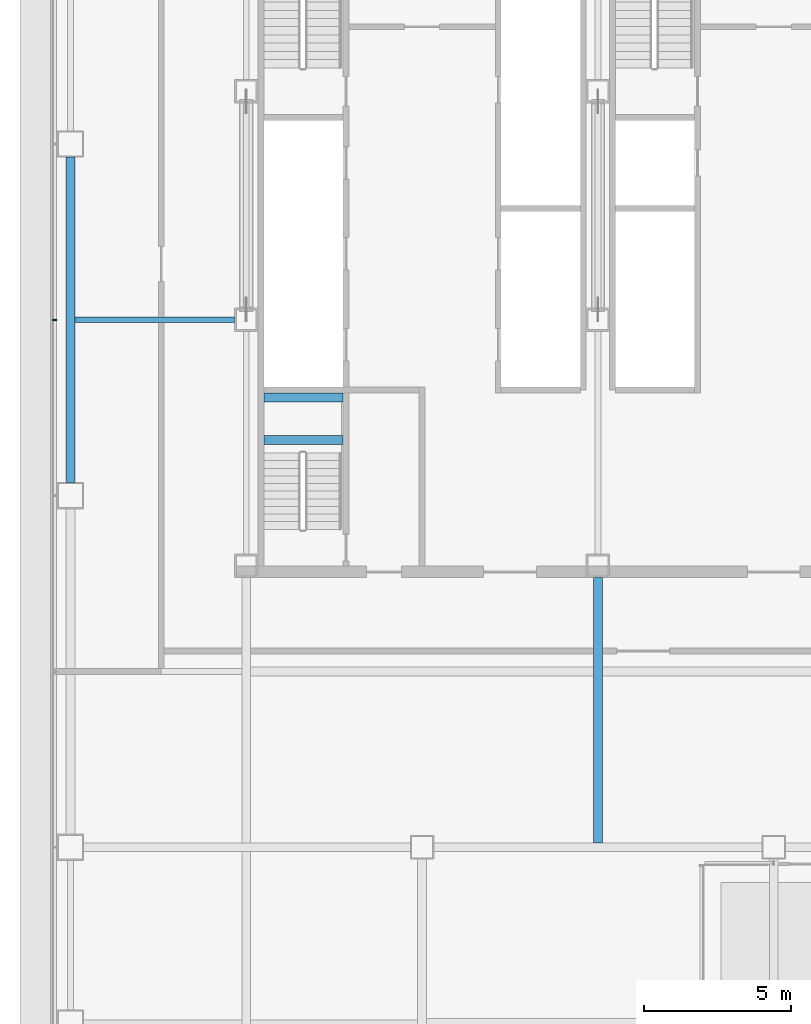
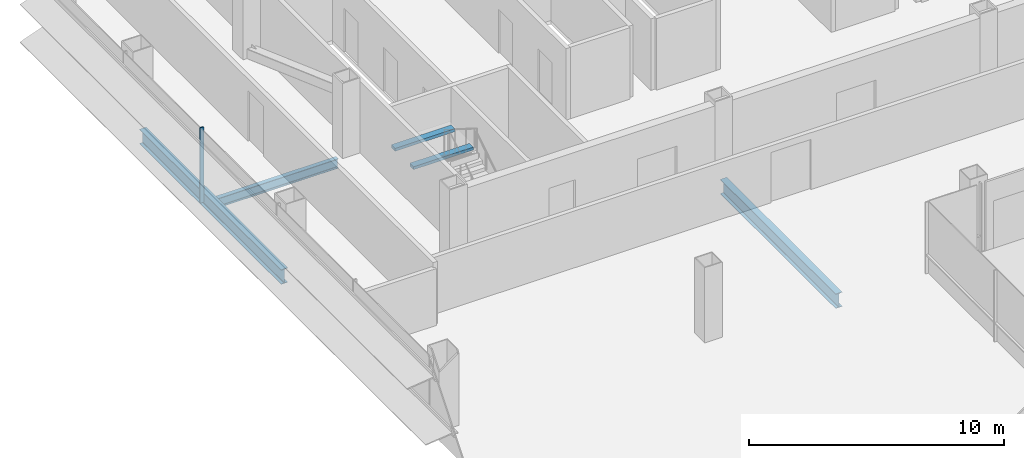
# One storey, part 6 of 27: 5 beams, 1 member, 1 element without a shape of its own.
"""IFC4 building model written with IfcOpenShell, lengths in metres."""

from ifc_helpers import new_model, si_unit, direction, frame, origin, origin_2d, place, context, subcontext, project, spatial, rectangle, i_section, extrude, material, material_profile, profile_set, type_object, element, aggregate, save


model = new_model("IFC4")

# Units and contexts
model_context = context("Model", 3, precision=1e-05, world=origin(), true_north=direction((0.0, 1.0)))
body_context = subcontext(model_context, "Body", "Model", "MODEL_VIEW")
ifc_project = project(units=[si_unit("LENGTHUNIT", "METRE"), si_unit("AREAUNIT", "SQUARE_METRE"), si_unit("VOLUMEUNIT", "CUBIC_METRE"), si_unit("PLANEANGLEUNIT", "RADIAN"), si_unit("MASSUNIT", "GRAM", prefix="KILO")], contexts=[model_context])

# Site, building, storey
site_placement = place(None, origin())
site = spatial("IfcSite", under=ifc_project, at=site_placement, CompositionType="ELEMENT")
building_placement = place(site_placement, origin())
building = spatial("IfcBuilding", under=site, at=building_placement, Name="Sorahane Residences", CompositionType="ELEMENT")
storey_placement = place(building_placement, frame((0.0, 0.0, 82.199951171875)))
storey = spatial("IfcBuildingStorey", under=building, at=storey_placement, Name="L17", CompositionType="ELEMENT", Elevation=82.199951171875)

# Curtain wall, member
ifc_material_1 = material(Name="Dark low-e glass and black anodised aluminium", Category="aluminium")
curtain_wall_type = type_object("IfcCurtainWallType", Name="Curtain wall CW-1 Typical unitised wall", PredefinedType="NOTDEFINED", material=ifc_material_1)
curtain_wall_placement = place(storey_placement, origin())
curtain_wall = element("IfcCurtainWall", 1, at=curtain_wall_placement, inside=storey, type_object=curtain_wall_type, Name="CW-1 curtain wall L17 W2", PredefinedType="NOTDEFINED")
ifc_material_2 = material(Name="Black anodised aluminium", Category="aluminium")
ifc_material_profile_1 = material_profile(ifc_material_2, rectangle(XDim=0.159912109375, YDim=0.050048828125, at=origin_2d()), Name="Curtain wall mullion CW-1 black anodised aluminium 50x160")
ifc_profile_set_1 = profile_set([ifc_material_profile_1], Name="Black anodised aluminium")
member_type = type_object("IfcMemberType", Name="Curtain wall mullion CW-1 black anodised aluminium 50x160", PredefinedType="MULLION", material=ifc_profile_set_1)
member_placement = place(storey_placement, frame((-0.5400390625, 30.0, -0.179931640625), z_axis=(0.0, 0.0, 1.0), x_axis=(-1.0, 0.0, 0.0)))
member = element("IfcMember", 2, at=member_placement, type_object=member_type, Name="CW-1 mullion L17 W2.3", PredefinedType="MULLION", context=body_context, shape_type="SweptSolid", body=[
    extrude(rectangle(XDim=0.159912109375, YDim=0.050048828125, at=origin_2d()), origin(), (0.0, 0.0, 1.0), 3.60009765625),
])
aggregate(curtain_wall, [member])

# Beams
ifc_material_3 = material(Name="Concrete C40", Category="concrete")
ifc_material_profile_2 = material_profile(ifc_material_3, rectangle(XDim=0.300048828125, YDim=0.139892578125, at=origin_2d()), Name="300x140")
ifc_profile_set_2 = profile_set([ifc_material_profile_2], Name="Concrete C40")
beam_type_1 = type_object("IfcBeamType", Name="RC landing beam 300 x 140 Concrete C40", PredefinedType="BEAM", material=ifc_profile_set_2)
for number, where, z_axis, x_axis, name in (
    (3, (6.60009765625, 25.89990234375, 1.530029296875), (1.0, 0.0, 0.0), (0.0, 1.0, 0.0), "Landing beam"),
    (4, (6.60009765625, 27.35009765625, 1.530029296875), (1.0, 0.0, 0.0), (0.0, 1.0, 0.0), "Landing beam"),
):
    element("IfcBeam", number, at=place(storey_placement, frame(where, z_axis=z_axis, x_axis=x_axis)), inside=storey, type_object=beam_type_1, Name=name, PredefinedType="BEAM", context=body_context, shape_type="SweptSolid", body=[
        extrude(rectangle(XDim=0.300048828125, YDim=0.139892578125, at=origin_2d()), origin(), (0.0, 0.0, 1.0), 2.699951171875),
    ])
ifc_material_4 = material(Name="Steel Q355B", Category="steel")
ifc_material_profile_3 = material_profile(ifc_material_4, i_section(OverallWidth=0.199951171875, OverallDepth=0.449951171875, WebThickness=0.009033203125, FlangeThickness=0.013916015625, FilletRadius=0.02001953125, at=origin_2d()), Name="HN 450x200x9x14")
ifc_profile_set_3 = profile_set([ifc_material_profile_3], Name="Steel Q355B")
beam_type_2 = type_object("IfcBeamType", Name="Steel floor beam HN 450x200x9x14 Q355B", PredefinedType="BEAM", material=ifc_profile_set_3)
beam_1_placement = place(storey_placement, frame((0.14990234375, 30.0, -0.405029296875), z_axis=(1.0, 0.0, 0.0), x_axis=(0.0, 1.0, 0.0)))
element("IfcBeam", 5, at=beam_1_placement, inside=storey, type_object=beam_type_2, Name="Beam L17 074", PredefinedType="BEAM", context=body_context, shape_type="SweptSolid", body=[
    extrude(i_section(OverallWidth=0.199951171875, OverallDepth=0.449951171875, WebThickness=0.009033203125, FlangeThickness=0.013916015625, FilletRadius=0.02001953125, at=origin_2d()), origin(), (0.0, 0.0, 1.0), 5.4501953125),
])
ifc_material_5 = material(Name="Steel Q355B", Category="steel")
ifc_material_profile_4 = material_profile(ifc_material_5, i_section(OverallWidth=0.300048828125, OverallDepth=0.699951171875, WebThickness=0.012939453125, FlangeThickness=0.02392578125, FilletRadius=0.028076171875, at=origin_2d()), Name="HN 700x300x13x24")
ifc_profile_set_4 = profile_set([ifc_material_profile_4], Name="Steel Q355B")
beam_type_3 = type_object("IfcBeamType", Name="Steel floor beam HN 700x300x13x24 Q355B", PredefinedType="BEAM", material=ifc_profile_set_4)
beam_2_placement = place(storey_placement, frame((0.0, 24.449951171875, -0.530029296875), z_axis=(0.0, 1.0, 0.0), x_axis=(-1.0, 0.0, 0.0)))
element("IfcBeam", 6, at=beam_2_placement, inside=storey, type_object=beam_type_3, Name="Beam L17 019", PredefinedType="BEAM", context=body_context, shape_type="SweptSolid", body=[
    extrude(i_section(OverallWidth=0.300048828125, OverallDepth=0.699951171875, WebThickness=0.012939453125, FlangeThickness=0.02392578125, FilletRadius=0.028076171875, at=origin_2d()), origin(), (0.0, 0.0, 1.0), 11.10009765625),
])
beam_3_placement = place(storey_placement, frame((18.0, 12.14990234375, -0.530029296875), z_axis=(0.0, 1.0, 0.0), x_axis=(-1.0, 0.0, 0.0)))
element("IfcBeam", 7, at=beam_3_placement, inside=storey, type_object=beam_type_3, Name="Beam L17 029", PredefinedType="BEAM", context=body_context, shape_type="SweptSolid", body=[
    extrude(i_section(OverallWidth=0.300048828125, OverallDepth=0.699951171875, WebThickness=0.012939453125, FlangeThickness=0.02392578125, FilletRadius=0.028076171875, at=origin_2d()), origin(), (0.0, 0.0, 1.0), 9.050048828125),
])

save(model, "model.ifc")
